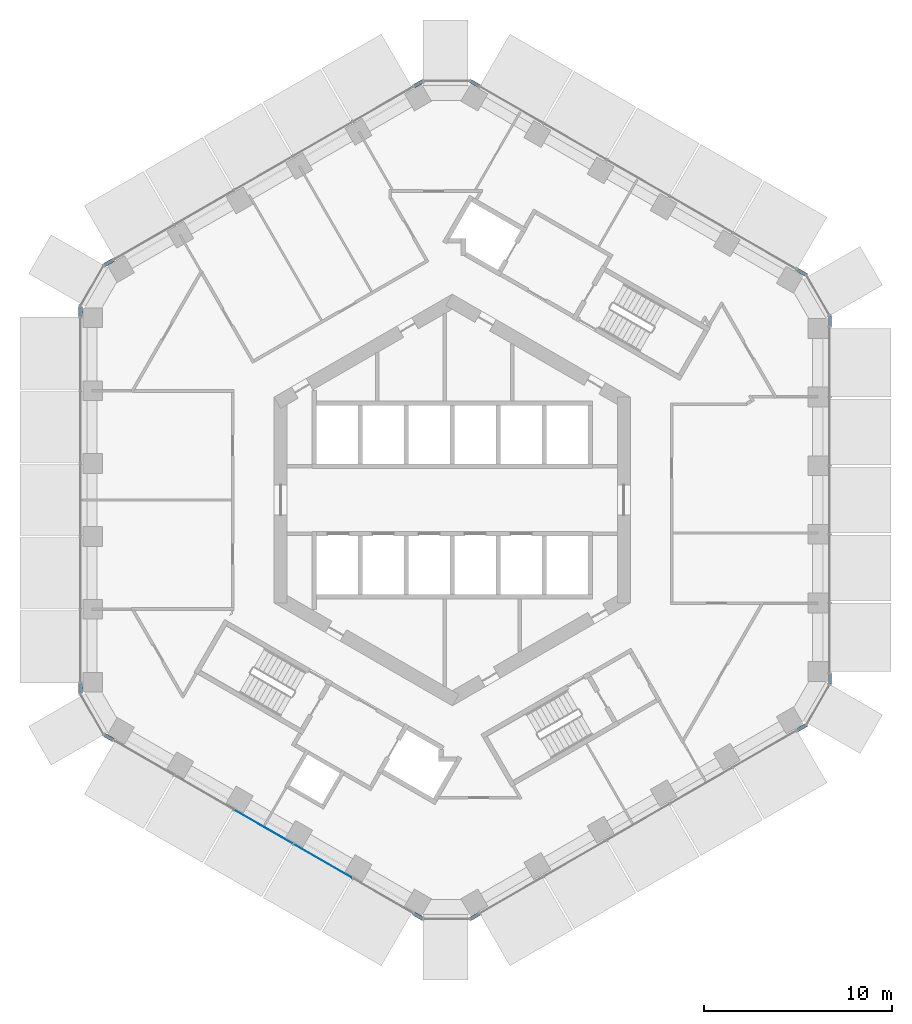
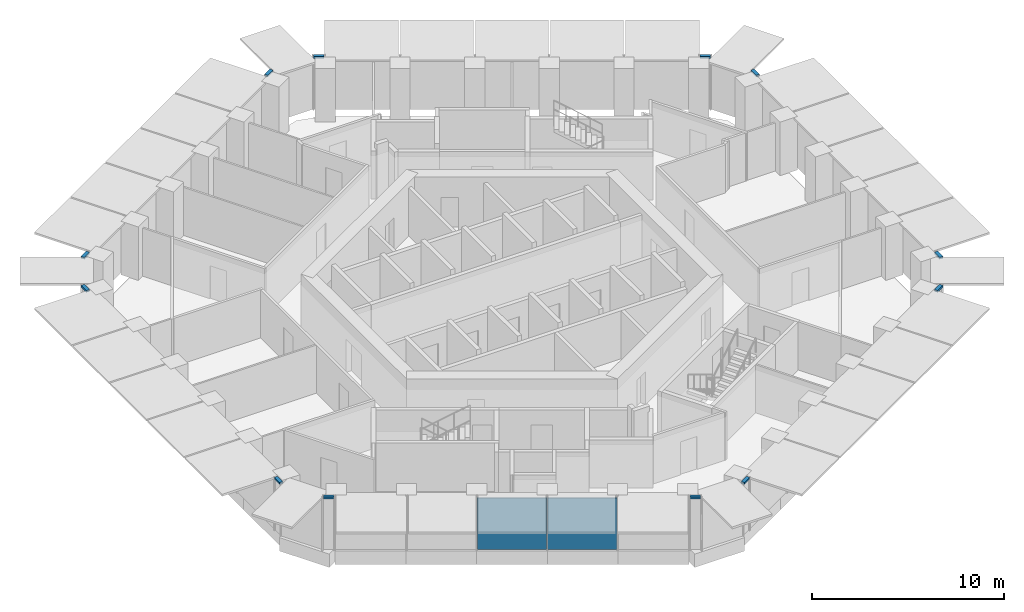
# One storey, part 8 of 19: 12 members, 2 plates, 7 elements without a shape of their own.
"""IFC4 building model written with IfcOpenShell, lengths in metres."""

from ifc_helpers import new_model, si_unit, direction, frame, origin, origin_2d, place, context, subcontext, project, spatial, rectangle, extrude, material, layer, layer_set, material_profile, profile_set, type_object, element, aggregate, save


model = new_model("IFC4")

# Units and contexts
model_context = context("Model", 3, precision=1e-05, world=origin(), true_north=direction((0.0, 1.0)))
body_context = subcontext(model_context, "Body", "Model", "MODEL_VIEW")
ifc_project = project(units=[si_unit("LENGTHUNIT", "METRE"), si_unit("AREAUNIT", "SQUARE_METRE"), si_unit("VOLUMEUNIT", "CUBIC_METRE"), si_unit("PLANEANGLEUNIT", "RADIAN"), si_unit("MASSUNIT", "GRAM", prefix="KILO")], contexts=[model_context])

# Site, building, storey
site_placement = place(None, origin())
site = spatial("IfcSite", under=ifc_project, at=site_placement, CompositionType="ELEMENT")
building_placement = place(site_placement, origin())
building = spatial("IfcBuilding", under=site, at=building_placement, Name="Ayvan Gate Tower", CompositionType="ELEMENT")
storey_placement = place(building_placement, frame((0.0, 0.0, 100.10009765625)))
storey = spatial("IfcBuildingStorey", under=building, at=storey_placement, Name="L26", CompositionType="ELEMENT", Elevation=100.10009765625)

# Curtain wall, members
ifc_material_1 = material(Name="Bronze anodised aluminium", Category="aluminium")
ifc_layer_1 = layer(ifc_material_1, 0.199951171875)
ifc_layer_set_1 = layer_set([ifc_layer_1], Name="Bronze anodised aluminium")
curtain_wall_type_1 = type_object("IfcCurtainWallType", Name="Stick curtain wall CW-6", PredefinedType="NOTDEFINED", material=ifc_layer_set_1)
curtain_wall_1_placement = place(storey_placement, origin())
curtain_wall_1 = element("IfcCurtainWall", 1, at=curtain_wall_1_placement, inside=storey, type_object=curtain_wall_type_1, Name="Stick curtain wall CW-6 L26", PredefinedType="NOTDEFINED")
ifc_material_profile = material_profile(ifc_material_1, rectangle(XDim=0.199951171875, YDim=0.1201171875, at=origin_2d()), Name="Stick curtain wall CW-6 transom 200 x 120")
ifc_profile_set = profile_set([ifc_material_profile], Name="Bronze anodised aluminium")
member_type = type_object("IfcMemberType", Name="Stick curtain wall CW-6 transom 200 x 120", PredefinedType="USERDEFINED", material=ifc_profile_set)
member_1_placement = place(storey_placement, frame((-18.072509765625, 12.787353515625, 3.33984375), z_axis=(-0.866104278045, -0.499863360881, 0.0), x_axis=(0.499863360881, -0.866104278045, 0.0)))
member_1 = element("IfcMember", 2, at=member_1_placement, type_object=member_type, Name="CW-6 transom 1", ObjectType="TRANSOM", PredefinedType="USERDEFINED", context=body_context, shape_type="SweptSolid", body=[
    extrude(rectangle(XDim=0.199951171875, YDim=0.1201171875, at=origin_2d()), origin(), (0.0, 0.0, 1.0), 0.550048828125),
])
member_2_placement = place(storey_placement, frame((-19.813720703125, 10.321533203125, 3.33984375), z_axis=(0.0, -1.0, 0.0), x_axis=(1.0, 0.0, 0.0)))
member_2 = element("IfcMember", 3, at=member_2_placement, type_object=member_type, Name="CW-6 transom 2", ObjectType="TRANSOM", PredefinedType="USERDEFINED", context=body_context, shape_type="SweptSolid", body=[
    extrude(rectangle(XDim=0.199951171875, YDim=0.1201171875, at=origin_2d()), origin(), (0.0, 0.0, 1.0), 0.550048828125),
])
aggregate(curtain_wall_1, [member_1, member_2])

curtain_wall_2_placement = place(storey_placement, origin())
curtain_wall_2 = element("IfcCurtainWall", 4, at=curtain_wall_2_placement, inside=storey, type_object=curtain_wall_type_1, Name="Stick curtain wall CW-6 L26", PredefinedType="NOTDEFINED")
member_3_placement = place(storey_placement, frame((-19.813720703125, -9.771484375, 3.33984375), z_axis=(0.0, -1.0, 0.0), x_axis=(1.0, 0.0, 0.0)))
member_3 = element("IfcMember", 5, at=member_3_placement, type_object=member_type, Name="CW-6 transom 1", ObjectType="TRANSOM", PredefinedType="USERDEFINED", context=body_context, shape_type="SweptSolid", body=[
    extrude(rectangle(XDim=0.199951171875, YDim=0.1201171875, at=origin_2d()), origin(), (0.0, 0.0, 1.0), 0.550048828125),
])
member_4_placement = place(storey_placement, frame((-18.548828125, -12.512451171875, 3.33984375), z_axis=(0.866104278045, -0.499863360881, 0.0), x_axis=(0.499863360881, 0.866104278045, 0.0)))
member_4 = element("IfcMember", 6, at=member_4_placement, type_object=member_type, Name="CW-6 transom 2", ObjectType="TRANSOM", PredefinedType="USERDEFINED", context=body_context, shape_type="SweptSolid", body=[
    extrude(rectangle(XDim=0.199951171875, YDim=0.1201171875, at=origin_2d()), origin(), (0.0, 0.0, 1.0), 0.550048828125),
])
aggregate(curtain_wall_2, [member_3, member_4])

curtain_wall_3_placement = place(storey_placement, origin())
curtain_wall_3 = element("IfcCurtainWall", 7, at=curtain_wall_3_placement, inside=storey, type_object=curtain_wall_type_1, Name="Stick curtain wall CW-6 L26", PredefinedType="NOTDEFINED")
member_5_placement = place(storey_placement, frame((-2.0380859375, -22.045166015625, 3.33984375), z_axis=(0.866104278045, -0.499863360881, 0.0), x_axis=(0.499863360881, 0.866104278045, 0.0)))
member_5 = element("IfcMember", 8, at=member_5_placement, type_object=member_type, Name="CW-6 transom 1", ObjectType="TRANSOM", PredefinedType="USERDEFINED", context=body_context, shape_type="SweptSolid", body=[
    extrude(rectangle(XDim=0.199951171875, YDim=0.1201171875, at=origin_2d()), origin(), (0.0, 0.0, 1.0), 0.550048828125),
])
member_6_placement = place(storey_placement, frame((0.96826171875, -22.320068359375, 3.33984375), z_axis=(0.866104278045, 0.499863360881, 0.0), x_axis=(-0.499863360881, 0.866104278045, 0.0)))
member_6 = element("IfcMember", 9, at=member_6_placement, type_object=member_type, Name="CW-6 transom 2", ObjectType="TRANSOM", PredefinedType="USERDEFINED", context=body_context, shape_type="SweptSolid", body=[
    extrude(rectangle(XDim=0.199951171875, YDim=0.1201171875, at=origin_2d()), origin(), (0.0, 0.0, 1.0), 0.550048828125),
])
aggregate(curtain_wall_3, [member_5, member_6])

curtain_wall_4_placement = place(storey_placement, origin())
curtain_wall_4 = element("IfcCurtainWall", 10, at=curtain_wall_4_placement, inside=storey, type_object=curtain_wall_type_1, Name="Stick curtain wall CW-6 L26", PredefinedType="NOTDEFINED")
member_7_placement = place(storey_placement, frame((18.369384765625, -12.2734375, 3.33984375), z_axis=(0.866104278045, 0.499863360881, 0.0), x_axis=(-0.499863360881, 0.866104278045, 0.0)))
member_7 = element("IfcMember", 11, at=member_7_placement, type_object=member_type, Name="CW-6 transom 1", ObjectType="TRANSOM", PredefinedType="USERDEFINED", context=body_context, shape_type="SweptSolid", body=[
    extrude(rectangle(XDim=0.199951171875, YDim=0.1201171875, at=origin_2d()), origin(), (0.0, 0.0, 1.0), 0.550048828125),
])
member_8_placement = place(storey_placement, frame((20.110595703125, -9.8076171875, 3.33984375), z_axis=(0.0, 1.0, 0.0), x_axis=(-1.0, 0.0, 0.0)))
member_8 = element("IfcMember", 12, at=member_8_placement, type_object=member_type, Name="CW-6 transom 2", ObjectType="TRANSOM", PredefinedType="USERDEFINED", context=body_context, shape_type="SweptSolid", body=[
    extrude(rectangle(XDim=0.199951171875, YDim=0.1201171875, at=origin_2d()), origin(), (0.0, 0.0, 1.0), 0.550048828125),
])
aggregate(curtain_wall_4, [member_7, member_8])

curtain_wall_5_placement = place(storey_placement, origin())
curtain_wall_5 = element("IfcCurtainWall", 13, at=curtain_wall_5_placement, inside=storey, type_object=curtain_wall_type_1, Name="Stick curtain wall CW-6 L26", PredefinedType="NOTDEFINED")
member_9_placement = place(storey_placement, frame((20.110595703125, 9.257568359375, 3.33984375), z_axis=(0.0, 1.0, 0.0), x_axis=(-1.0, 0.0, 0.0)))
member_9 = element("IfcMember", 14, at=member_9_placement, type_object=member_type, Name="CW-6 transom 1", ObjectType="TRANSOM", PredefinedType="USERDEFINED", context=body_context, shape_type="SweptSolid", body=[
    extrude(rectangle(XDim=0.199951171875, YDim=0.1201171875, at=origin_2d()), origin(), (0.0, 0.0, 1.0), 0.550048828125),
])
member_10_placement = place(storey_placement, frame((18.845703125, 11.99853515625, 3.33984375), z_axis=(-0.866104278045, 0.499863360881, 0.0), x_axis=(-0.499863360881, -0.866104278045, 0.0)))
member_10 = element("IfcMember", 15, at=member_10_placement, type_object=member_type, Name="CW-6 transom 2", ObjectType="TRANSOM", PredefinedType="USERDEFINED", context=body_context, shape_type="SweptSolid", body=[
    extrude(rectangle(XDim=0.199951171875, YDim=0.1201171875, at=origin_2d()), origin(), (0.0, 0.0, 1.0), 0.550048828125),
])
aggregate(curtain_wall_5, [member_9, member_10])

curtain_wall_6_placement = place(storey_placement, origin())
curtain_wall_6 = element("IfcCurtainWall", 16, at=curtain_wall_6_placement, inside=storey, type_object=curtain_wall_type_1, Name="Stick curtain wall CW-6 L26", PredefinedType="NOTDEFINED")
member_11_placement = place(storey_placement, frame((1.444580078125, 22.045166015625, 3.33984375), z_axis=(-0.866104278045, 0.499863360881, 0.0), x_axis=(-0.499863360881, -0.866104278045, 0.0)))
member_11 = element("IfcMember", 17, at=member_11_placement, type_object=member_type, Name="CW-6 transom 1", ObjectType="TRANSOM", PredefinedType="USERDEFINED", context=body_context, shape_type="SweptSolid", body=[
    extrude(rectangle(XDim=0.199951171875, YDim=0.1201171875, at=origin_2d()), origin(), (0.0, 0.0, 1.0), 0.550048828125),
])
member_12_placement = place(storey_placement, frame((-1.561767578125, 22.320068359375, 3.33984375), z_axis=(-0.866104278045, -0.499863360881, 0.0), x_axis=(0.499863360881, -0.866104278045, 0.0)))
member_12 = element("IfcMember", 18, at=member_12_placement, type_object=member_type, Name="CW-6 transom 2", ObjectType="TRANSOM", PredefinedType="USERDEFINED", context=body_context, shape_type="SweptSolid", body=[
    extrude(rectangle(XDim=0.199951171875, YDim=0.1201171875, at=origin_2d()), origin(), (0.0, 0.0, 1.0), 0.550048828125),
])
aggregate(curtain_wall_6, [member_11, member_12])

# Curtain wall, plates
ifc_layer_2 = layer(ifc_material_1, 0.199951171875)
ifc_layer_set_2 = layer_set([ifc_layer_2], Name="Bronze anodised aluminium")
curtain_wall_type_2 = type_object("IfcCurtainWallType", Name="Stick curtain wall CW-1", PredefinedType="NOTDEFINED", material=ifc_layer_set_2)
curtain_wall_7_placement = place(storey_placement, origin())
curtain_wall_7 = element("IfcCurtainWall", 19, at=curtain_wall_7_placement, inside=storey, type_object=curtain_wall_type_2, Name="Stick curtain wall CW-1 L26", PredefinedType="NOTDEFINED")
ifc_material_2 = material(Name="Clear low-iron laminated glass", Category="glass")
ifc_layer_3 = layer(ifc_material_2, 0.028076171875)
ifc_layer_set_3 = layer_set([ifc_layer_3], Name="Clear low-iron laminated glass")
plate_type = type_object("IfcPlateType", Name="Stick curtain wall CW-1 glass panel", PredefinedType="CURTAIN_PANEL", material=ifc_layer_set_3)
plate_1_placement = place(storey_placement, frame((-10.055419921875, -17.416259765625, 0.0), z_axis=(0.0, 0.0, 1.0), x_axis=(0.866025403784, -0.5, 0.0)))
plate_1 = element("IfcPlate", 20, at=plate_1_placement, type_object=plate_type, Name="CW-1 glass panel 3", PredefinedType="CURTAIN_PANEL", context=body_context, shape_type="SweptSolid", body=[
    extrude(rectangle(XDim=3.596923828125, YDim=0.028076171875, at=origin_2d()), origin(), (0.0, 0.0, 1.0), 3.280029296875),
])
plate_2_placement = place(storey_placement, frame((-6.888671875, -19.244384765625, 0.0), z_axis=(0.0, 0.0, 1.0), x_axis=(0.866025403784, -0.5, 0.0)))
plate_2 = element("IfcPlate", 21, at=plate_2_placement, type_object=plate_type, Name="CW-1 glass panel 4", PredefinedType="CURTAIN_PANEL", context=body_context, shape_type="SweptSolid", body=[
    extrude(rectangle(XDim=3.595947265625, YDim=0.028076171875, at=origin_2d()), origin(), (0.0, 0.0, 1.0), 3.280029296875),
])
aggregate(curtain_wall_7, [plate_1, plate_2])

save(model, "model.ifc")
